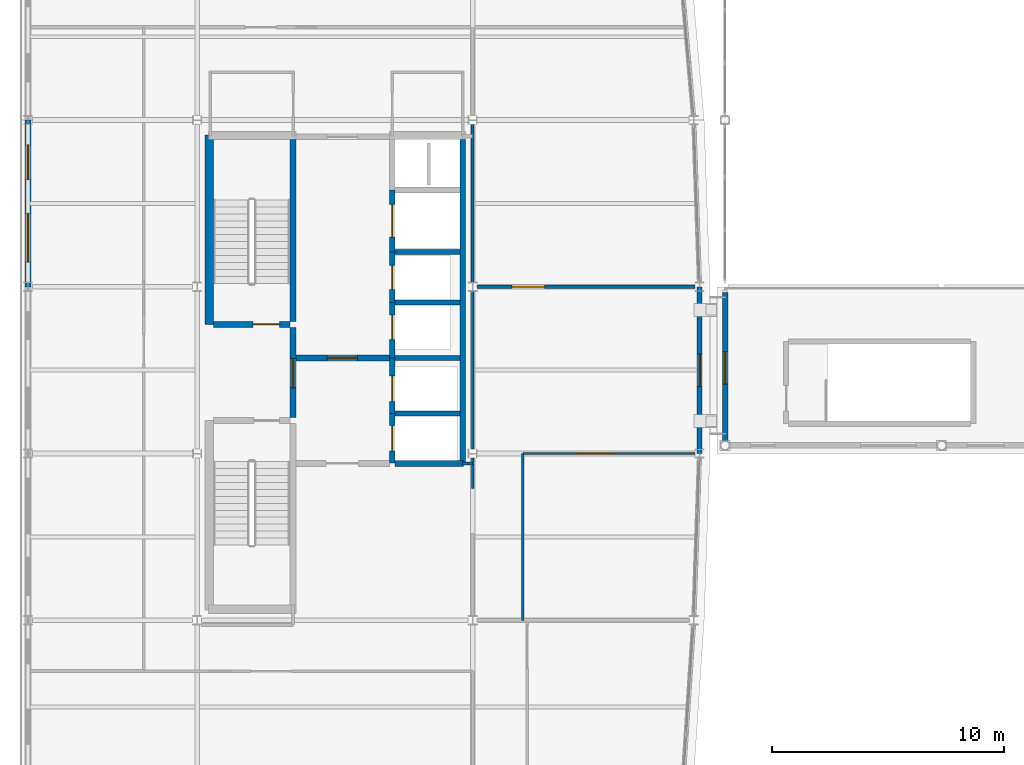
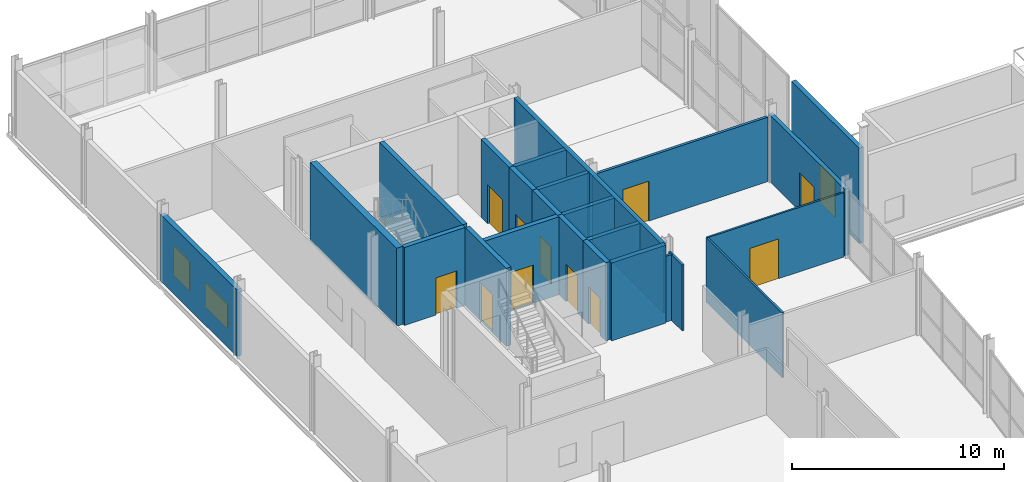
# One storey, part 65 of 77: 26 walls, 12 doors, 2 windows, 14 openings.
"""IFC4 building model written with IfcOpenShell, lengths in metres."""

import ifcopenshell
import ifcopenshell.guid

model = None  # the IFC model being written
_history = None  # IfcOwnerHistory: only IFC2X3 demands one
_inside = {}  # id of a spatial element -> (the spatial element, [elements in it])
_under = {}  # id of a project, library or spatial element -> (it, [spatial elements below it])
_declared = {}  # id of a project -> (the project, [libraries it declares])
_typed = {}  # id of a type object -> (the type object, [elements of that type])
_made_of = {}  # id of a material, layer set ... -> (it, [elements and type objects made of it])


def new_model(schema):
    """Start an empty IFC model of exactly this schema.

    Asked for "IFC4X3", IfcOpenShell would pick the latest addendum, in which some entities
    have other attributes; the version numbers below select the first issue.
    IFC2X3 requires an IfcOwnerHistory on every rooted entity: one is made here for all.
    """
    global model, _history
    if schema == "IFC4X3":
        model = ifcopenshell.file(schema_version=(4, 3, 0, 0))
    else:
        model = ifcopenshell.file(schema=schema)
    _inside.clear()
    _under.clear()
    _declared.clear()
    _typed.clear()
    _made_of.clear()
    _history = None
    if model.schema == "IFC2X3":
        org = make("IfcOrganization", Name="unknown")
        user = make(
            "IfcPersonAndOrganization",
            ThePerson=make("IfcPerson", FamilyName="unknown"),
            TheOrganization=org,
        )
        app = make(
            "IfcApplication",
            ApplicationDeveloper=org,
            Version="unknown",
            ApplicationFullName="unknown",
            ApplicationIdentifier="unknown",
        )
        _history = make(
            "IfcOwnerHistory",
            OwningUser=user,
            OwningApplication=app,
            ChangeAction="ADDED",
            CreationDate=0,
        )
    return model


def make(cls, **values):
    """One entity of the class cls with the attributes given. An attribute that is None is left unset."""
    return model.create_entity(
        cls, **{name: value for name, value in values.items() if value is not None}
    )


def rooted(cls, **values):
    """An entity with a GlobalId (a new one), such as an element, a storey or a relation."""
    return make(cls, GlobalId=ifcopenshell.guid.new(), OwnerHistory=_history, **values)


def si_unit(unit_type, name, prefix=None):
    """IfcSIUnit, for example si_unit("LENGTHUNIT", "METRE", prefix="MILLI")."""
    return make("IfcSIUnit", UnitType=unit_type, Prefix=prefix, Name=name)


def assignment(units):
    """IfcUnitAssignment: the units of a project."""
    return None if units is None else make("IfcUnitAssignment", Units=units)


def point(xyz):
    """IfcCartesianPoint."""
    return None if xyz is None else make("IfcCartesianPoint", Coordinates=xyz)


def direction(xyz):
    """IfcDirection."""
    return None if xyz is None else make("IfcDirection", DirectionRatios=xyz)


def frame(location, z_axis=None, x_axis=None):
    """IfcAxis2Placement3D, a coordinate frame: its origin and axes. An axis left out is left unset."""
    return make(
        "IfcAxis2Placement3D",
        Location=point(location),
        Axis=direction(z_axis),
        RefDirection=direction(x_axis),
    )


def frame_2d(location, x_axis=None):
    """IfcAxis2Placement2D, a coordinate frame in the plane: its origin and x axis."""
    return make(
        "IfcAxis2Placement2D", Location=point(location), RefDirection=direction(x_axis)
    )


def origin():
    """The frame at (0, 0, 0) with its axes left unset."""
    return frame((0.0, 0.0, 0.0))


def place(relative_to, where):
    """IfcLocalPlacement: puts the frame where relative to a parent placement (None: the world)."""
    return make(
        "IfcLocalPlacement", PlacementRelTo=relative_to, RelativePlacement=where
    )


def context(
    kind, dimensions, precision=None, world=None, true_north=None, identifier=None
):
    """IfcGeometricRepresentationContext, for example the 3D "Model" context."""
    return make(
        "IfcGeometricRepresentationContext",
        ContextIdentifier=identifier,
        ContextType=kind,
        CoordinateSpaceDimension=dimensions,
        Precision=precision,
        WorldCoordinateSystem=world,
        TrueNorth=true_north,
    )


def subcontext(parent, identifier, kind, view, scale=None):
    """IfcGeometricRepresentationSubContext, for example "Body" below "Model"."""
    return make(
        "IfcGeometricRepresentationSubContext",
        ContextIdentifier=identifier,
        ContextType=kind,
        ParentContext=parent,
        TargetScale=scale,
        TargetView=view,
    )


def project(units=None, contexts=None):
    """IfcProject with its units and contexts."""
    return rooted(
        "IfcProject",
        Name="project",
        RepresentationContexts=contexts,
        UnitsInContext=assignment(units),
    )


def spatial(cls, under=None, at=None, **own):
    """A site, building, storey or space (cls), placed at a placement, below another one or the project."""
    s = rooted(cls, ObjectPlacement=at, **own)
    if under is not None:
        _under.setdefault(under.id(), (under, []))[1].append(s)
    return s


def profile(cls, at=None, kind="AREA", **sizes):
    """A parametric profile (cls). Its sizes go by their IFC names, for example OverallWidth=200.0."""
    return make(cls, ProfileType=kind, Position=at, **sizes)


def rectangle(**sizes):
    """IfcRectangleProfileDef."""
    return profile("IfcRectangleProfileDef", **sizes)


def extrude(swept, where, along, depth):
    """IfcExtrudedAreaSolid: the profile swept, set in the frame where, extruded along a direction by depth."""
    return make(
        "IfcExtrudedAreaSolid",
        SweptArea=swept,
        Position=where,
        ExtrudedDirection=direction(along),
        Depth=depth,
    )


def shape(context_of_items, identifier, shape_type, items):
    """IfcShapeRepresentation: the items that make up one representation, for example the "Body"."""
    return make(
        "IfcShapeRepresentation",
        ContextOfItems=context_of_items,
        RepresentationIdentifier=identifier,
        RepresentationType=shape_type,
        Items=items,
    )


def material(Name=None, Category=None):
    """IfcMaterial."""
    return make("IfcMaterial", Name=Name, Category=Category)


def layer(
    of_material, thickness, ventilated=None, Name=None, Category=None, Priority=None
):
    """IfcMaterialLayer: one layer of a wall or slab, of a material (None: an air gap)."""
    return make(
        "IfcMaterialLayer",
        Material=of_material,
        LayerThickness=thickness,
        IsVentilated=ventilated,
        Name=Name,
        Category=Category,
        Priority=Priority,
    )


def layer_set(layers, Name=None):
    """IfcMaterialLayerSet."""
    return make("IfcMaterialLayerSet", MaterialLayers=layers, LayerSetName=Name)


def made_of(thing, what):
    """Note that an element or type object is made of a material, layer set ...; save() writes the relation."""
    if what is not None:
        _made_of.setdefault(what.id(), (what, []))[1].append(thing)
    return thing


def type_object(cls, material=None, **own):
    """A type object (cls), such as IfcWallType, which elements share."""
    return made_of(rooted(cls, **own), material)


def element(
    cls,
    number,
    at=None,
    inside=None,
    cuts=None,
    type_object=None,
    material=None,
    context=None,
    identifier="Body",
    shape_type=None,
    held_by="IfcProductDefinitionShape",
    body=None,
    shapes=None,
    **own,
):
    """One element of the class cls, such as IfcWall. Its Tag is "e" and its number.

    at: its placement. inside: the storey or other place that contains it. cuts: it is an
    opening in that element (IfcRelVoidsElement). A single representation is given by context,
    identifier, shape_type and body (its items); several are given by shapes. held_by: the class
    of the entity that holds the representations. save() writes the other relations.
    """
    e = rooted(cls, Tag="e%d" % number, ObjectPlacement=at, **own)
    if body is not None:
        shapes = [shape(context, identifier, shape_type, body)]
    if shapes is not None:
        e.Representation = make(held_by, Representations=shapes)
    if inside is not None:
        _inside.setdefault(inside.id(), (inside, []))[1].append(e)
    if cuts is not None:
        rooted(
            "IfcRelVoidsElement", RelatingBuildingElement=cuts, RelatedOpeningElement=e
        )
    if type_object is not None:
        _typed.setdefault(type_object.id(), (type_object, []))[1].append(e)
    return made_of(e, material)


def fill(opening, filler):
    """IfcRelFillsElement: the door or window that sits in an opening."""
    return rooted(
        "IfcRelFillsElement",
        RelatingOpeningElement=opening,
        RelatedBuildingElement=filler,
    )


def aggregate(whole, parts):
    """IfcRelAggregates: a whole, such as a stair, and the parts it consists of."""
    return rooted("IfcRelAggregates", RelatingObject=whole, RelatedObjects=parts)


def save(model, path):
    """Write the relations noted so far, then the file.

    IfcRelAggregates (storeys below a building ...), IfcRelContainedInSpatialStructure (elements
    in a storey), IfcRelDefinesByType, IfcRelAssociatesMaterial and IfcRelDeclares: one each for
    every whole, place, type object, material and project.
    """
    for whole, parts in _under.values():
        aggregate(whole, parts)
    for where, things in _inside.values():
        rooted(
            "IfcRelContainedInSpatialStructure",
            RelatedElements=things,
            RelatingStructure=where,
        )
    for kind, things in _typed.values():
        rooted("IfcRelDefinesByType", RelatedObjects=things, RelatingType=kind)
    for what, things in _made_of.values():
        rooted("IfcRelAssociatesMaterial", RelatedObjects=things, RelatingMaterial=what)
    for by, libraries in _declared.values():
        rooted("IfcRelDeclares", RelatingContext=by, RelatedDefinitions=libraries)
    model.write(path)


model = new_model("IFC4")

# Units and contexts
model_context = context("Model", 3, precision=1e-05, world=origin(), true_north=direction((0.0, 1.0)))
body_context = subcontext(model_context, "Body", "Model", "MODEL_VIEW")
ifc_project = project(units=[si_unit("LENGTHUNIT", "METRE"), si_unit("AREAUNIT", "SQUARE_METRE"), si_unit("VOLUMEUNIT", "CUBIC_METRE"), si_unit("PLANEANGLEUNIT", "RADIAN"), si_unit("MASSUNIT", "GRAM", prefix="KILO")], contexts=[model_context])

# Site, building, storey
site_placement = place(None, origin())
site = spatial("IfcSite", under=ifc_project, at=site_placement, CompositionType="ELEMENT")
building_placement = place(site_placement, origin())
building = spatial("IfcBuilding", under=site, at=building_placement, Name="Quillay Park Conservatory", CompositionType="ELEMENT")
storey_placement = place(building_placement, frame((0.0, 0.0, 5.39990234375)))
storey = spatial("IfcBuildingStorey", under=building, at=storey_placement, Name="L01", CompositionType="ELEMENT", Elevation=5.39990234375)

# Wall, opening, door
ifc_material_1 = material(Name="Steel-Stud Acoustic Gypsum Board Partition", Category="steel")
ifc_layer_1 = layer(ifc_material_1, 0.10009765625)
ifc_layer_set_1 = layer_set([ifc_layer_1], Name="ACOUSTIC GYPSUM PARTITION 100 (Steel-Stud Acoustic Gypsum Board Partition)")
wall_type_1 = type_object("IfcWallType", Name="ACOUSTIC GYPSUM PARTITION 100", PredefinedType="PARTITIONING", material=ifc_layer_set_1)
wall_1_placement = place(storey_placement, frame((21.919921875, 85.199951171875, 0.0), z_axis=(0.0, 0.0, 1.0), x_axis=(1.0, 0.0, 0.0)))
wall_1 = element("IfcWall", 1, at=wall_1_placement, inside=storey, type_object=wall_type_1, Name="L01 Bridge Corr South Wall", PredefinedType="PARTITIONING", context=body_context, shape_type="SweptSolid", body=[
    extrude(rectangle(XDim=7.435546875, YDim=0.10009765625, at=frame_2d((3.7177734375, 0.0))), origin(), (0.0, 0.0, 1.0), 3.72119140625),
])
opening_1_placement = place(wall_1_placement, frame((2.324951171875, 0.0, 0.0)))
opening_1 = element("IfcOpeningElement", 2, at=opening_1_placement, cuts=wall_1, Name="Opening D-RM26", PredefinedType="OPENING", context=body_context, shape_type="SweptSolid", body=[
    extrude(rectangle(XDim=1.550048828125, YDim=2.300048828125, at=frame_2d((0.77490234375, 1.14990234375))), frame((0.0, 0.050048828125, 0.0), z_axis=(0.0, -1.0, 0.0), x_axis=(1.0, 0.0, 0.0)), (0.0, 0.0, 1.0), 0.10009765625),
])
ifc_material_2 = material(Name="Thermally Broken Anodised Aluminium 6063-T6", Category="aluminium")
door_type_1 = type_object("IfcDoorType", Name="SINGLE SWING DOOR 1550 X2300", OperationType="NOTDEFINED", PredefinedType="DOOR", material=ifc_material_2)
door_1_placement = place(opening_1_placement, origin())
door_1 = element("IfcDoor", 3, at=door_1_placement, inside=storey, type_object=door_type_1, Name="L01 Door to L01 Phytotron Instrument Annex", OperationType="SINGLE_SWING_RIGHT", OverallHeight=2.300048828125, OverallWidth=1.550048828125, PredefinedType="DOOR", context=body_context, shape_type="SweptSolid", body=[
    extrude(rectangle(XDim=1.550048828125, YDim=2.300048828125, at=frame_2d((0.77490234375, 1.14990234375))), frame((0.0, 0.02490234375, 0.0), z_axis=(0.0, -1.0, 0.0), x_axis=(1.0, 0.0, 0.0)), (0.0, 0.0, 1.0), 0.050048828125),
])
fill(opening_1, door_1)

# Walls
ifc_material_3 = material(Name="Steel-Stud Acoustic Gypsum Board Partition", Category="steel")
ifc_layer_2 = layer(ifc_material_3, 0.10498046875)
ifc_layer_set_2 = layer_set([ifc_layer_2], Name="ACOUSTIC GYPSUM PARTITION 105 (Steel-Stud Acoustic Gypsum Board Partition)")
wall_type_2 = type_object("IfcWallType", Name="ACOUSTIC GYPSUM PARTITION 105", PredefinedType="PARTITIONING", material=ifc_layer_set_2)
wall_2_placement = place(storey_placement, frame((21.919921875, 78.0, 0.0), z_axis=(0.0, 0.0, 1.0), x_axis=(0.0, 1.0, 0.0)))
element("IfcWall", 4, at=wall_2_placement, inside=storey, type_object=wall_type_2, Name="L01 Bridge Corr East Wall", PredefinedType="PARTITIONING", context=body_context, shape_type="SweptSolid", body=[
    extrude(rectangle(XDim=7.199951171875, YDim=0.10498046875, at=frame_2d((3.60009765625, 0.0))), origin(), (0.0, 0.0, 1.0), 3.72119140625),
])
ifc_material_4 = material(Name="Steel-Stud Acoustic Gypsum Board Partition", Category="steel")
ifc_layer_3 = layer(ifc_material_4, 0.110107421875)
ifc_layer_set_3 = layer_set([ifc_layer_3], Name="ACOUSTIC GYPSUM PARTITION 110 (Steel-Stud Acoustic Gypsum Board Partition)")
wall_type_3 = type_object("IfcWallType", Name="ACOUSTIC GYPSUM PARTITION 110", PredefinedType="PARTITIONING", material=ifc_layer_set_3)
wall_3_placement = place(storey_placement, frame((19.75, 85.39453125, 0.0), z_axis=(0.0, 0.0, 1.0), x_axis=(0.0, 1.0, 0.0)))
element("IfcWall", 5, at=wall_3_placement, inside=storey, type_object=wall_type_3, Name="L01 Core East Wall M2", PredefinedType="PARTITIONING", context=body_context, shape_type="SweptSolid", body=[
    extrude(rectangle(XDim=6.81396484375, YDim=0.110107421875, at=frame_2d((3.406982421875, 0.0))), origin(), (0.0, 0.0, 1.0), 3.797119140625),
])
ifc_material_5 = material(Name="Steel-Stud Acoustic Gypsum Board Partition", Category="steel")
ifc_layer_4 = layer(ifc_material_5, 0.114990234375)
ifc_layer_set_4 = layer_set([ifc_layer_4], Name="ACOUSTIC GYPSUM PARTITION 115 (Steel-Stud Acoustic Gypsum Board Partition)")
wall_type_4 = type_object("IfcWallType", Name="ACOUSTIC GYPSUM PARTITION 115", PredefinedType="PARTITIONING", material=ifc_layer_set_4)
wall_4_placement = place(storey_placement, frame((19.75, 83.699951171875, 0.0), z_axis=(0.0, 0.0, 1.0), x_axis=(0.0, 1.0, 0.0)))
element("IfcWall", 6, at=wall_4_placement, inside=storey, type_object=wall_type_4, Name="L01 Core East Wall M1", PredefinedType="PARTITIONING", context=body_context, shape_type="SweptSolid", body=[
    extrude(rectangle(XDim=1.3056640625, YDim=0.114990234375, at=frame_2d((0.65283203125, 0.0))), origin(), (0.0, 0.0, 1.0), 3.797119140625),
])
ifc_material_6 = material(Name="Steel-Stud Acoustic Gypsum Board Partition", Category="steel")
ifc_layer_5 = layer(ifc_material_6, 0.1298828125)
ifc_layer_set_5 = layer_set([ifc_layer_5], Name="ACOUSTIC GYPSUM PARTITION 130 (Steel-Stud Acoustic Gypsum Board Partition)")
wall_type_5 = type_object("IfcWallType", Name="ACOUSTIC GYPSUM PARTITION 130", PredefinedType="PARTITIONING", material=ifc_layer_set_5)
wall_5_placement = place(storey_placement, frame((19.75, 99.405517578125, 0.0), z_axis=(0.0, 0.0, 1.0), x_axis=(0.0, -1.0, 0.0)))
element("IfcWall", 7, at=wall_5_placement, inside=storey, type_object=wall_type_5, Name="L01 Mycorrhizal Culture Research Laboratory West Wall S", PredefinedType="PARTITIONING", context=body_context, shape_type="SweptSolid", body=[
    extrude(rectangle(XDim=6.81396484375, YDim=0.1298828125, at=frame_2d((3.406982421875, 0.0))), origin(), (0.0, 0.0, 1.0), 3.797119140625),
])
ifc_material_7 = material(Name="Steel-Stud Acoustic Gypsum Board Partition", Category="steel")
ifc_layer_6 = layer(ifc_material_7, 0.139892578125)
ifc_layer_set_6 = layer_set([ifc_layer_6], Name="ACOUSTIC GYPSUM PARTITION 140 (Steel-Stud Acoustic Gypsum Board Partition)")
wall_type_6 = type_object("IfcWallType", Name="ACOUSTIC GYPSUM PARTITION 140", PredefinedType="PARTITIONING", material=ifc_layer_set_6)
wall_6_placement = place(storey_placement, frame((19.320068359375, 84.77490234375, 0.0), z_axis=(0.0, 0.0, 1.0), x_axis=(1.0, 0.0, 0.0)))
element("IfcWall", 8, at=wall_6_placement, inside=storey, type_object=wall_type_6, Name="L01 Core South-East Closure", PredefinedType="PARTITIONING", context=body_context, shape_type="SweptSolid", body=[
    extrude(rectangle(XDim=0.429931640625, YDim=0.139892578125, at=frame_2d((0.21484375, 0.0))), origin(), (0.0, 0.0, 1.0), 3.797119140625),
])

# Wall, opening, door
wall_7_placement = place(storey_placement, frame((19.944580078125, 92.39990234375, 0.0), z_axis=(0.0, 0.0, 1.0), x_axis=(1.0, 0.0, 0.0)))
wall_7 = element("IfcWall", 9, at=wall_7_placement, inside=storey, type_object=wall_type_6, Name="L01 Mycorrhizal Culture Research Laboratory South Wall", PredefinedType="PARTITIONING", context=body_context, shape_type="SweptSolid", body=[
    extrude(rectangle(XDim=9.410888671875, YDim=0.139892578125, at=frame_2d((4.70556640625, 0.0))), origin(), (0.0, 0.0, 1.0), 3.72119140625),
])
opening_2_placement = place(wall_7_placement, frame((1.49560546875, 0.0, 0.0)))
opening_2 = element("IfcOpeningElement", 10, at=opening_2_placement, cuts=wall_7, Name="Opening D-RM25", PredefinedType="OPENING", context=body_context, shape_type="SweptSolid", body=[
    extrude(rectangle(XDim=1.419921875, YDim=2.300048828125, at=frame_2d((0.7099609375, 1.14990234375))), frame((0.0, 0.06982421875, 0.0), z_axis=(0.0, -1.0, 0.0), x_axis=(1.0, 0.0, 0.0)), (0.0, 0.0, 1.0), 0.139892578125),
])
ifc_material_8 = material(Name="Thermally Broken Anodised Aluminium 6063-T6", Category="aluminium")
door_type_2 = type_object("IfcDoorType", Name="SINGLE SWING DOOR 1420 X2300", OperationType="NOTDEFINED", PredefinedType="DOOR", material=ifc_material_8)
door_2_placement = place(opening_2_placement, origin())
door_2 = element("IfcDoor", 11, at=door_2_placement, inside=storey, type_object=door_type_2, Name="L01 Door to Mycorrhizal Culture Research Laboratory", OperationType="SINGLE_SWING_LEFT", OverallHeight=2.300048828125, OverallWidth=1.419921875, PredefinedType="DOOR", context=body_context, shape_type="SweptSolid", body=[
    extrude(rectangle(XDim=1.419921875, YDim=2.300048828125, at=frame_2d((0.7099609375, 1.14990234375))), frame((0.0, 0.02490234375, 0.0), z_axis=(0.0, -1.0, 0.0), x_axis=(1.0, 0.0, 0.0)), (0.0, 0.0, 1.0), 0.050048828125),
])
fill(opening_2, door_2)

# Walls
ifc_material_9 = material(Name="Concrete C35/45 (NCh170 Concrete C35/45)", Category="concrete")
ifc_layer_7 = layer(ifc_material_9, 0.22509765625)
ifc_layer_set_7 = layer_set([ifc_layer_7], Name="CORE SHEAR WALL 225 (Concrete C35/45 (NCh170 Concrete C35/45))")
wall_type_7 = type_object("IfcWallType", Name="CORE SHEAR WALL 225", PredefinedType="SHEAR", material=ifc_layer_set_7)
wall_8_placement = place(storey_placement, frame((19.320068359375, 84.800048828125, 0.0), z_axis=(0.0, 0.0, 1.0), x_axis=(0.0, 1.0, 0.0)))
element("IfcWall", 12, at=wall_8_placement, inside=storey, type_object=wall_type_7, Name="L01 Core Shear Wall WL-LFBACK-L01", PredefinedType="SHEAR", context=body_context, shape_type="SweptSolid", body=[
    extrude(rectangle(XDim=13.949951171875, YDim=0.22509765625, at=frame_2d((6.97509765625, 0.0))), origin(), (0.0, 0.0, 1.0), 4.5),
])
for number, where, z_axis, x_axis, name in (
    (13, (16.39990234375, 86.925048828125, 0.0), (0.0, 0.0, 1.0), (1.0, 0.0, 0.0), "L01 Core Shear Wall WL-LFDIV-L01-869"),
    (14, (16.39990234375, 89.324951171875, 0.0), (0.0, 0.0, 1.0), (1.0, 0.0, 0.0), "L01 Core Shear Wall WL-LFDIV-L01-893"),
    (15, (16.39990234375, 91.72509765625, 0.0), (0.0, 0.0, 1.0), (1.0, 0.0, 0.0), "L01 Core Shear Wall WL-LFDIV-L01-917"),
    (16, (16.39990234375, 93.89990234375, 0.0), (0.0, 0.0, 1.0), (1.0, 0.0, 0.0), "L01 Core Shear Wall WL-LFDIV-L01-939"),
):
    element("IfcWall", number, at=place(storey_placement, frame(where, z_axis=z_axis, x_axis=x_axis)), inside=storey, type_object=wall_type_7, Name=name, PredefinedType="SHEAR", context=body_context, shape_type="SweptSolid", body=[
        extrude(rectangle(XDim=2.800048828125, YDim=0.22509765625, at=frame_2d((1.39990234375, 0.0))), origin(), (0.0, 0.0, 1.0), 4.5),
    ])
ifc_material_10 = material(Name="Concrete C40/50 (NCh170 Concrete C40/50)", Category="concrete")
ifc_layer_8 = layer(ifc_material_10, 0.25)
ifc_layer_set_8 = layer_set([ifc_layer_8], Name="CORE SHEAR WALL 250 (Concrete C40/50 (NCh170 Concrete C40/50))")
wall_type_8 = type_object("IfcWallType", Name="CORE SHEAR WALL 250", PredefinedType="SHEAR", material=ifc_layer_set_8)
wall_9_placement = place(storey_placement, frame((11.9951171875, 90.89990234375, 0.0), z_axis=(0.0, 0.0, 1.0), x_axis=(0.0, 1.0, 0.0)))
element("IfcWall", 17, at=wall_9_placement, inside=storey, type_object=wall_type_8, Name="L01 Core Shear Wall WL-T1E-L01", PredefinedType="SHEAR", context=body_context, shape_type="SweptSolid", body=[
    extrude(rectangle(XDim=7.85009765625, YDim=0.25, at=frame_2d((3.925048828125, 0.0))), origin(), (0.0, 0.0, 1.0), 4.5),
])

# Wall, opening, door
wall_10_placement = place(storey_placement, frame((11.9951171875, 86.75, 0.0), z_axis=(0.0, 0.0, 1.0), x_axis=(0.0, 1.0, 0.0)))
wall_10 = element("IfcWall", 18, at=wall_10_placement, inside=storey, type_object=wall_type_8, Name="L01 Core Shear Wall WL-FFW-L01", PredefinedType="SHEAR", context=body_context, shape_type="SweptSolid", body=[
    extrude(rectangle(XDim=3.89990234375, YDim=0.25, at=frame_2d((1.949951171875, 0.0))), origin(), (0.0, 0.0, 1.0), 4.5),
])
opening_3_placement = place(wall_10_placement, frame((1.300048828125, 0.0, 0.0)))
opening_3 = element("IfcOpeningElement", 19, at=opening_3_placement, cuts=wall_10, Name="Opening D-LB01", PredefinedType="OPENING", context=body_context, shape_type="SweptSolid", body=[
    extrude(rectangle(XDim=1.25, YDim=2.199951171875, at=frame_2d((0.625, 1.10009765625))), frame((0.0, 0.125, 0.0), z_axis=(0.0, -1.0, 0.0), x_axis=(1.0, 0.0, 0.0)), (0.0, 0.0, 1.0), 0.25),
])
ifc_material_11 = material(Name="Steel ASTM A572 Grade 50", Category="steel")
door_type_3 = type_object("IfcDoorType", Name="FIRE RATED LOBBY DOOR 1250 X2200", OperationType="NOTDEFINED", PredefinedType="DOOR", material=ifc_material_11)
door_3_placement = place(opening_3_placement, origin())
door_3 = element("IfcDoor", 20, at=door_3_placement, inside=storey, type_object=door_type_3, Name="L01 Firefighting Lobby Corridor Door", OperationType="SINGLE_SWING_LEFT", OverallHeight=2.199951171875, OverallWidth=1.25, PredefinedType="DOOR", context=body_context, shape_type="SweptSolid", body=[
    extrude(rectangle(XDim=1.25, YDim=2.199951171875, at=frame_2d((0.625, 1.10009765625))), frame((0.0, 0.02490234375, 0.0), z_axis=(0.0, -1.0, 0.0), x_axis=(1.0, 0.0, 0.0)), (0.0, 0.0, 1.0), 0.050048828125),
])
fill(opening_3, door_3)

wall_11_placement = place(storey_placement, frame((11.8701171875, 90.77490234375, 0.0), z_axis=(0.0, 0.0, 1.0), x_axis=(-1.0, 0.0, 0.0)))
wall_11 = element("IfcWall", 21, at=wall_11_placement, inside=storey, type_object=wall_type_8, Name="L01 Core Shear Wall WL-ST1D-L01", PredefinedType="SHEAR", context=body_context, shape_type="SweptSolid", body=[
    extrude(rectangle(XDim=3.320068359375, YDim=0.25, at=frame_2d((1.66015625, 0.0))), origin(), (0.0, 0.0, 1.0), 4.5),
])
opening_4_placement = place(wall_11_placement, frame((0.449951171875, 0.0, 0.0)))
opening_4 = element("IfcOpeningElement", 22, at=opening_4_placement, cuts=wall_11, Name="Opening D-ST02", PredefinedType="OPENING", context=body_context, shape_type="SweptSolid", body=[
    extrude(rectangle(XDim=1.14990234375, YDim=2.14990234375, at=frame_2d((0.574951171875, 1.074951171875))), frame((0.0, 0.125, 0.0), z_axis=(0.0, -1.0, 0.0), x_axis=(1.0, 0.0, 0.0)), (0.0, 0.0, 1.0), 0.25),
])
ifc_material_12 = material(Name="Steel ASTM A572 Grade 50", Category="steel")
door_type_4 = type_object("IfcDoorType", Name="FIRE RATED STAIR DOOR 1150 X2150", OperationType="NOTDEFINED", PredefinedType="DOOR", material=ifc_material_12)
door_4_placement = place(opening_4_placement, origin())
door_4 = element("IfcDoor", 23, at=door_4_placement, inside=storey, type_object=door_type_4, Name="L01 Protected Stair ST-T1 Door", OperationType="SINGLE_SWING_RIGHT", OverallHeight=2.14990234375, OverallWidth=1.14990234375, PredefinedType="DOOR", context=body_context, shape_type="SweptSolid", body=[
    extrude(rectangle(XDim=1.14990234375, YDim=2.14990234375, at=frame_2d((0.574951171875, 1.074951171875))), frame((0.0, 0.02490234375, 0.0), z_axis=(0.0, -1.0, 0.0), x_axis=(1.0, 0.0, 0.0)), (0.0, 0.0, 1.0), 0.050048828125),
])
fill(opening_4, door_4)

wall_12_placement = place(storey_placement, frame((12.1201171875, 89.324951171875, 0.0), z_axis=(0.0, 0.0, 1.0), x_axis=(1.0, 0.0, 0.0)))
wall_12 = element("IfcWall", 24, at=wall_12_placement, inside=storey, type_object=wall_type_8, Name="L01 Core Shear Wall WL-FFDIV-L01", PredefinedType="SHEAR", context=body_context, shape_type="SweptSolid", body=[
    extrude(rectangle(XDim=4.02978515625, YDim=0.25, at=frame_2d((2.014892578125, 0.0))), origin(), (0.0, 0.0, 1.0), 4.5),
])
opening_5_placement = place(wall_12_placement, frame((1.35009765625, 0.0, 0.0)))
opening_5 = element("IfcOpeningElement", 25, at=opening_5_placement, cuts=wall_12, Name="Opening D-LB02", PredefinedType="OPENING", context=body_context, shape_type="SweptSolid", body=[
    extrude(rectangle(XDim=1.300048828125, YDim=2.199951171875, at=frame_2d((0.64990234375, 1.10009765625))), frame((0.0, 0.125, 0.0), z_axis=(0.0, -1.0, 0.0), x_axis=(1.0, 0.0, 0.0)), (0.0, 0.0, 1.0), 0.25),
])
ifc_material_13 = material(Name="Steel ASTM A572 Grade 50", Category="steel")
door_type_5 = type_object("IfcDoorType", Name="FIRE RATED LOBBY DOOR 1300 X2200", OperationType="NOTDEFINED", PredefinedType="DOOR", material=ifc_material_13)
door_5_placement = place(opening_5_placement, origin())
door_5 = element("IfcDoor", 26, at=door_5_placement, inside=storey, type_object=door_type_5, Name="L01 Firefighting to Passenger Lobby Door", OperationType="SINGLE_SWING_LEFT", OverallHeight=2.199951171875, OverallWidth=1.300048828125, PredefinedType="DOOR", context=body_context, shape_type="SweptSolid", body=[
    extrude(rectangle(XDim=1.300048828125, YDim=2.199951171875, at=frame_2d((0.64990234375, 1.10009765625))), frame((0.0, 0.02490234375, 0.0), z_axis=(0.0, -1.0, 0.0), x_axis=(1.0, 0.0, 0.0)), (0.0, 0.0, 1.0), 0.050048828125),
])
fill(opening_5, door_5)

# Wall
wall_13_placement = place(storey_placement, frame((16.39990234375, 84.77490234375, 0.0), z_axis=(0.0, 0.0, 1.0), x_axis=(1.0, 0.0, 0.0)))
element("IfcWall", 27, at=wall_13_placement, inside=storey, type_object=wall_type_8, Name="L01 Core Shear Wall WL-LFSO-L01", PredefinedType="SHEAR", context=body_context, shape_type="SweptSolid", body=[
    extrude(rectangle(XDim=2.9501953125, YDim=0.25, at=frame_2d((1.47509765625, 0.0))), origin(), (0.0, 0.0, 1.0), 4.5),
])

# Wall, opening, door
wall_14_placement = place(storey_placement, frame((16.27490234375, 84.800048828125, 0.0), z_axis=(0.0, 0.0, 1.0), x_axis=(0.0, 1.0, 0.0)))
wall_14 = element("IfcWall", 28, at=wall_14_placement, inside=storey, type_object=wall_type_8, Name="L01 Core Shear Wall WL-LFFR-L01-LF-FF1", PredefinedType="SHEAR", context=body_context, shape_type="SweptSolid", body=[
    extrude(rectangle(XDim=2.125, YDim=0.25, at=frame_2d((1.0625, 0.0))), origin(), (0.0, 0.0, 1.0), 4.5),
])
opening_6_placement = place(wall_14_placement, frame((0.5, 0.0, 0.0)))
opening_6 = element("IfcOpeningElement", 29, at=opening_6_placement, cuts=wall_14, Name="Opening LD01", PredefinedType="OPENING", context=body_context, shape_type="SweptSolid", body=[
    extrude(rectangle(XDim=1.10009765625, YDim=2.14990234375, at=frame_2d((0.550048828125, 1.074951171875))), frame((0.0, 0.125, 0.0), z_axis=(0.0, -1.0, 0.0), x_axis=(1.0, 0.0, 0.0)), (0.0, 0.0, 1.0), 0.25),
])
ifc_material_14 = material(Name="Steel ASTM A572 Grade 50", Category="steel")
door_type_6 = type_object("IfcDoorType", Name="LIFT LANDING SLIDING DOOR 1100 X2150", OperationType="NOTDEFINED", PredefinedType="DOOR", material=ifc_material_14)
door_6_placement = place(opening_6_placement, origin())
door_6 = element("IfcDoor", 30, at=door_6_placement, inside=storey, type_object=door_type_6, Name="L01 LF-FF1 Lift Landing Door LD01", OperationType="SLIDING_TO_LEFT", OverallHeight=2.14990234375, OverallWidth=1.10009765625, PredefinedType="DOOR", context=body_context, shape_type="SweptSolid", body=[
    extrude(rectangle(XDim=1.10009765625, YDim=2.14990234375, at=frame_2d((0.550048828125, 1.074951171875))), frame((0.0, 0.02490234375, 0.0), z_axis=(0.0, -1.0, 0.0), x_axis=(1.0, 0.0, 0.0)), (0.0, 0.0, 1.0), 0.050048828125),
])
fill(opening_6, door_6)

wall_15_placement = place(storey_placement, frame((16.27490234375, 86.925048828125, 0.0), z_axis=(0.0, 0.0, 1.0), x_axis=(0.0, 1.0, 0.0)))
wall_15 = element("IfcWall", 31, at=wall_15_placement, inside=storey, type_object=wall_type_8, Name="L01 Core Shear Wall WL-LFFR-L01-LF-FF2", PredefinedType="SHEAR", context=body_context, shape_type="SweptSolid", body=[
    extrude(rectangle(XDim=2.39990234375, YDim=0.25, at=frame_2d((1.199951171875, 0.0))), origin(), (0.0, 0.0, 1.0), 4.5),
])
opening_7_placement = place(wall_15_placement, frame((0.52490234375, 0.0, 0.0)))
opening_7 = element("IfcOpeningElement", 32, at=opening_7_placement, cuts=wall_15, Name="Opening LD01", PredefinedType="OPENING", context=body_context, shape_type="SweptSolid", body=[
    extrude(rectangle(XDim=1.10009765625, YDim=2.14990234375, at=frame_2d((0.550048828125, 1.074951171875))), frame((0.0, 0.125, 0.0), z_axis=(0.0, -1.0, 0.0), x_axis=(1.0, 0.0, 0.0)), (0.0, 0.0, 1.0), 0.25),
])
door_7_placement = place(opening_7_placement, origin())
door_7 = element("IfcDoor", 33, at=door_7_placement, inside=storey, type_object=door_type_6, Name="L01 LF-FF2 Lift Landing Door LD01", OperationType="SLIDING_TO_LEFT", OverallHeight=2.14990234375, OverallWidth=1.10009765625, PredefinedType="DOOR", context=body_context, shape_type="SweptSolid", body=[
    extrude(rectangle(XDim=1.10009765625, YDim=2.14990234375, at=frame_2d((0.550048828125, 1.074951171875))), frame((0.0, 0.02490234375, 0.0), z_axis=(0.0, -1.0, 0.0), x_axis=(1.0, 0.0, 0.0)), (0.0, 0.0, 1.0), 0.050048828125),
])
fill(opening_7, door_7)

wall_16_placement = place(storey_placement, frame((16.27490234375, 89.324951171875, 0.0), z_axis=(0.0, 0.0, 1.0), x_axis=(0.0, 1.0, 0.0)))
wall_16 = element("IfcWall", 34, at=wall_16_placement, inside=storey, type_object=wall_type_8, Name="L01 Core Shear Wall WL-LFFR-L01-LF-P1", PredefinedType="SHEAR", context=body_context, shape_type="SweptSolid", body=[
    extrude(rectangle(XDim=2.400146484375, YDim=0.25, at=frame_2d((1.2001953125, 0.0))), origin(), (0.0, 0.0, 1.0), 4.5),
])
opening_8_placement = place(wall_16_placement, frame((0.800048828125, 0.0, 0.0)))
opening_8 = element("IfcOpeningElement", 35, at=opening_8_placement, cuts=wall_16, Name="Opening LD02", PredefinedType="OPENING", context=body_context, shape_type="SweptSolid", body=[
    extrude(rectangle(XDim=1.050048828125, YDim=2.14990234375, at=frame_2d((0.52490234375, 1.074951171875))), frame((0.0, 0.125, 0.0), z_axis=(0.0, -1.0, 0.0), x_axis=(1.0, 0.0, 0.0)), (0.0, 0.0, 1.0), 0.25),
])
ifc_material_15 = material(Name="Steel ASTM A572 Grade 50", Category="steel")
door_type_7 = type_object("IfcDoorType", Name="LIFT LANDING SLIDING DOOR 1050 X2150", OperationType="NOTDEFINED", PredefinedType="DOOR", material=ifc_material_15)
door_8_placement = place(opening_8_placement, origin())
door_8 = element("IfcDoor", 36, at=door_8_placement, inside=storey, type_object=door_type_7, Name="L01 LF-P1 Lift Landing Door LD02", OperationType="SLIDING_TO_LEFT", OverallHeight=2.14990234375, OverallWidth=1.050048828125, PredefinedType="DOOR", context=body_context, shape_type="SweptSolid", body=[
    extrude(rectangle(XDim=1.050048828125, YDim=2.14990234375, at=frame_2d((0.52490234375, 1.074951171875))), frame((0.0, 0.02490234375, 0.0), z_axis=(0.0, -1.0, 0.0), x_axis=(1.0, 0.0, 0.0)), (0.0, 0.0, 1.0), 0.050048828125),
])
fill(opening_8, door_8)

wall_17_placement = place(storey_placement, frame((16.27490234375, 91.72509765625, 0.0), z_axis=(0.0, 0.0, 1.0), x_axis=(0.0, 1.0, 0.0)))
wall_17 = element("IfcWall", 37, at=wall_17_placement, inside=storey, type_object=wall_type_8, Name="L01 Core Shear Wall WL-LFFR-L01-LF-P2", PredefinedType="SHEAR", context=body_context, shape_type="SweptSolid", body=[
    extrude(rectangle(XDim=2.1748046875, YDim=0.25, at=frame_2d((1.08740234375, 0.0))), origin(), (0.0, 0.0, 1.0), 4.5),
])
opening_9_placement = place(wall_17_placement, frame((0.550048828125, 0.0, 0.0)))
opening_9 = element("IfcOpeningElement", 38, at=opening_9_placement, cuts=wall_17, Name="Opening LD02", PredefinedType="OPENING", context=body_context, shape_type="SweptSolid", body=[
    extrude(rectangle(XDim=1.050048828125, YDim=2.14990234375, at=frame_2d((0.52490234375, 1.074951171875))), frame((0.0, 0.125, 0.0), z_axis=(0.0, -1.0, 0.0), x_axis=(1.0, 0.0, 0.0)), (0.0, 0.0, 1.0), 0.25),
])
door_9_placement = place(opening_9_placement, origin())
door_9 = element("IfcDoor", 39, at=door_9_placement, inside=storey, type_object=door_type_7, Name="L01 LF-P2 Lift Landing Door LD02", OperationType="SLIDING_TO_LEFT", OverallHeight=2.14990234375, OverallWidth=1.050048828125, PredefinedType="DOOR", context=body_context, shape_type="SweptSolid", body=[
    extrude(rectangle(XDim=1.050048828125, YDim=2.14990234375, at=frame_2d((0.52490234375, 1.074951171875))), frame((0.0, 0.02490234375, 0.0), z_axis=(0.0, -1.0, 0.0), x_axis=(1.0, 0.0, 0.0)), (0.0, 0.0, 1.0), 0.050048828125),
])
fill(opening_9, door_9)

wall_18_placement = place(storey_placement, frame((16.27490234375, 93.89990234375, 0.0), z_axis=(0.0, 0.0, 1.0), x_axis=(0.0, 1.0, 0.0)))
wall_18 = element("IfcWall", 40, at=wall_18_placement, inside=storey, type_object=wall_type_8, Name="L01 Core Shear Wall WL-LFFR-L01-LF-G1", PredefinedType="SHEAR", context=body_context, shape_type="SweptSolid", body=[
    extrude(rectangle(XDim=2.675048828125, YDim=0.25, at=frame_2d((1.33740234375, 0.0))), origin(), (0.0, 0.0, 1.0), 4.5),
])
opening_10_placement = place(wall_18_placement, frame((0.64990234375, 0.0, 0.0)))
opening_10 = element("IfcOpeningElement", 41, at=opening_10_placement, cuts=wall_18, Name="Opening LD03", PredefinedType="OPENING", context=body_context, shape_type="SweptSolid", body=[
    extrude(rectangle(XDim=1.39990234375, YDim=2.25, at=frame_2d((0.699951171875, 1.125))), frame((0.0, 0.125, 0.0), z_axis=(0.0, -1.0, 0.0), x_axis=(1.0, 0.0, 0.0)), (0.0, 0.0, 1.0), 0.25),
])
ifc_material_16 = material(Name="Steel ASTM A572 Grade 50", Category="steel")
door_type_8 = type_object("IfcDoorType", Name="LIFT LANDING SLIDING DOOR 1400 X2250", OperationType="NOTDEFINED", PredefinedType="DOOR", material=ifc_material_16)
door_10_placement = place(opening_10_placement, origin())
door_10 = element("IfcDoor", 42, at=door_10_placement, inside=storey, type_object=door_type_8, Name="L01 LF-G1 Lift Landing Door LD03", OperationType="SLIDING_TO_LEFT", OverallHeight=2.25, OverallWidth=1.39990234375, PredefinedType="DOOR", context=body_context, shape_type="SweptSolid", body=[
    extrude(rectangle(XDim=1.39990234375, YDim=2.25, at=frame_2d((0.699951171875, 1.125))), frame((0.0, 0.02490234375, 0.0), z_axis=(0.0, -1.0, 0.0), x_axis=(1.0, 0.0, 0.0)), (0.0, 0.0, 1.0), 0.050048828125),
])
fill(opening_10, door_10)

# Wall
ifc_material_17 = material(Name="Concrete C40/50 (NCh170 Concrete C40/50)", Category="concrete")
ifc_layer_9 = layer(ifc_material_17, 0.35009765625)
ifc_layer_set_9 = layer_set([ifc_layer_9], Name="CORE SHEAR WALL 350 (Concrete C40/50 (NCh170 Concrete C40/50))")
wall_type_9 = type_object("IfcWallType", Name="CORE SHEAR WALL 350", PredefinedType="SHEAR", material=ifc_layer_set_9)
wall_19_placement = place(storey_placement, frame((8.375, 90.77490234375, 0.0), z_axis=(0.0, 0.0, 1.0), x_axis=(0.0, 1.0, 0.0)))
element("IfcWall", 43, at=wall_19_placement, inside=storey, type_object=wall_type_9, Name="L01 Core Shear Wall WL-TCW-N-L01", PredefinedType="SHEAR", context=body_context, shape_type="SweptSolid", body=[
    extrude(rectangle(XDim=8.175048828125, YDim=0.35009765625, at=frame_2d((4.08740234375, 0.0))), origin(), (0.0, 0.0, 1.0), 4.5),
])

# Wall, opening, door
ifc_material_18 = material(Name="Glass-Fibre Reinforced Concrete (GRC) Cladding", Category="concrete")
ifc_layer_10 = layer(ifc_material_18, 0.219970703125)
ifc_layer_set_10 = layer_set([ifc_layer_10], Name="EXTERIOR SOLID WALL 220 (Glass-Fibre Reinforced Concrete (GRC) Cladding)")
wall_type_10 = type_object("IfcWallType", Name="EXTERIOR SOLID WALL 220", PredefinedType="SOLIDWALL", material=ifc_layer_set_10)
wall_20_placement = place(storey_placement, frame((29.550048828125, 92.39990234375, 0.0), z_axis=(0.0, 0.0, 1.0), x_axis=(0.0, -1.0, 0.0)))
wall_20 = element("IfcWall", 44, at=wall_20_placement, inside=storey, type_object=wall_type_10, Name="L01 External Wall WL-LB2W-L01", PredefinedType="SOLIDWALL", context=body_context, shape_type="SweptSolid", body=[
    extrude(rectangle(XDim=7.199951171875, YDim=0.219970703125, at=frame_2d((3.60009765625, 0.0))), origin(), (0.0, 0.0, 1.0), 3.84716796875),
])
opening_11_placement = place(wall_20_placement, frame((2.89990234375, 0.0, 0.0)))
opening_11 = element("IfcOpeningElement", 45, at=opening_11_placement, cuts=wall_20, Name="Opening D-TR03", PredefinedType="OPENING", context=body_context, shape_type="SweptSolid", body=[
    extrude(rectangle(XDim=1.39990234375, YDim=2.199951171875, at=frame_2d((0.699951171875, 1.10009765625))), frame((0.0, 0.10986328125, 0.0), z_axis=(0.0, -1.0, 0.0), x_axis=(1.0, 0.0, 0.0)), (0.0, 0.0, 1.0), 0.219970703125),
])
ifc_material_19 = material(Name="Thermally Broken Anodised Aluminium 6063-T6", Category="aluminium")
door_type_9 = type_object("IfcDoorType", Name="TERRACE GLAZED DOOR 1400 X2200", OperationType="NOTDEFINED", PredefinedType="DOOR", material=ifc_material_19)
door_11_placement = place(opening_11_placement, origin())
door_11 = element("IfcDoor", 46, at=door_11_placement, inside=storey, type_object=door_type_9, Name="L01 Tower to Conservatory Bridge Door", OperationType="SINGLE_SWING_LEFT", OverallHeight=2.199951171875, OverallWidth=1.39990234375, PredefinedType="DOOR", context=body_context, shape_type="SweptSolid", body=[
    extrude(rectangle(XDim=1.39990234375, YDim=2.199951171875, at=frame_2d((0.699951171875, 1.10009765625))), frame((0.0, 0.02490234375, 0.0), z_axis=(0.0, -1.0, 0.0), x_axis=(1.0, 0.0, 0.0)), (0.0, 0.0, 1.0), 0.050048828125),
])
fill(opening_11, door_11)

ifc_material_20 = material(Name="Glass-Fibre Reinforced Concrete (GRC) Cladding", Category="concrete")
ifc_layer_11 = layer(ifc_material_20, 0.239990234375)
ifc_layer_set_11 = layer_set([ifc_layer_11], Name="EXTERIOR SOLID WALL 240 (Glass-Fibre Reinforced Concrete (GRC) Cladding)")
wall_type_11 = type_object("IfcWallType", Name="EXTERIOR SOLID WALL 240", PredefinedType="SOLIDWALL", material=ifc_layer_set_11)
wall_21_placement = place(storey_placement, frame((30.64990234375, 85.751220703125, 0.0), z_axis=(0.0, 0.0, 1.0), x_axis=(0.0, 1.0, 0.0)))
wall_21 = element("IfcWall", 47, at=wall_21_placement, inside=storey, type_object=wall_type_11, Name="L01 External Wall WL-EXT-V1W-WK", PredefinedType="SOLIDWALL", context=body_context, shape_type="SweptSolid", body=[
    extrude(rectangle(XDim=6.398681640625, YDim=0.239990234375, at=frame_2d((3.19921875, 0.0))), origin(), (0.0, 0.0, 1.0), 5.5),
])
opening_12_placement = place(wall_21_placement, frame((2.44873046875, 0.0, 0.0)))
opening_12 = element("IfcOpeningElement", 48, at=opening_12_placement, cuts=wall_21, Name="Opening D-TR03", PredefinedType="OPENING", context=body_context, shape_type="SweptSolid", body=[
    extrude(rectangle(XDim=1.39990234375, YDim=2.199951171875, at=frame_2d((0.699951171875, 1.10009765625))), frame((0.0, 0.1201171875, 0.0), z_axis=(0.0, -1.0, 0.0), x_axis=(1.0, 0.0, 0.0)), (0.0, 0.0, 1.0), 0.239990234375),
])
door_12_placement = place(opening_12_placement, origin())
door_12 = element("IfcDoor", 49, at=door_12_placement, inside=storey, type_object=door_type_9, Name="L01 Conservatory Canopy Walk West Bridge Door", OperationType="SINGLE_SWING_RIGHT", OverallHeight=2.199951171875, OverallWidth=1.39990234375, PredefinedType="DOOR", context=body_context, shape_type="SweptSolid", body=[
    extrude(rectangle(XDim=1.39990234375, YDim=2.199951171875, at=frame_2d((0.699951171875, 1.10009765625))), frame((0.0, 0.02490234375, 0.0), z_axis=(0.0, -1.0, 0.0), x_axis=(1.0, 0.0, 0.0)), (0.0, 0.0, 1.0), 0.050048828125),
])
fill(opening_12, door_12)

# Wall, openings, windows
ifc_material_21 = material(Name="Glass-Fibre Reinforced Concrete (GRC) Cladding", Category="concrete")
ifc_layer_12 = layer(ifc_material_21, 0.260009765625)
ifc_layer_set_12 = layer_set([ifc_layer_12], Name="EXTERIOR SOLID WALL 260 (Glass-Fibre Reinforced Concrete (GRC) Cladding)")
wall_type_12 = type_object("IfcWallType", Name="EXTERIOR SOLID WALL 260", PredefinedType="SOLIDWALL", material=ifc_layer_set_12)
wall_22_placement = place(storey_placement, frame((0.550048828125, 92.39990234375, 0.0), z_axis=(0.0, 0.0, 1.0), x_axis=(0.0, 1.0, 0.0)))
wall_22 = element("IfcWall", 50, at=wall_22_placement, inside=storey, type_object=wall_type_12, Name="L01 External Wall WL-EXT-V4W-L01-4", PredefinedType="SOLIDWALL", context=body_context, shape_type="SweptSolid", body=[
    extrude(rectangle(XDim=7.2001953125, YDim=0.260009765625, at=frame_2d((3.60009765625, 0.0))), origin(), (0.0, 0.0, 1.0), 3.84716796875),
])
opening_13_placement = place(wall_22_placement, frame((1.070068359375, 0.0, 0.919921875)))
opening_13 = element("IfcOpeningElement", 51, at=opening_13_placement, cuts=wall_22, Name="Opening W-06", PredefinedType="OPENING", context=body_context, shape_type="SweptSolid", body=[
    extrude(rectangle(XDim=2.10009765625, YDim=1.39990234375, at=frame_2d((1.050048828125, 0.699951171875))), frame((0.0, 0.1298828125, 0.0), z_axis=(0.0, -1.0, 0.0), x_axis=(1.0, 0.0, 0.0)), (0.0, 0.0, 1.0), 0.260009765625),
])
opening_14_placement = place(wall_22_placement, frame((4.6298828125, 0.0, 0.919921875)))
opening_14 = element("IfcOpeningElement", 52, at=opening_14_placement, cuts=wall_22, Name="Opening W-13", PredefinedType="OPENING", context=body_context, shape_type="SweptSolid", body=[
    extrude(rectangle(XDim=1.5, YDim=1.699951171875, at=frame_2d((0.75, 0.85009765625))), frame((0.0, 0.1298828125, 0.0), z_axis=(0.0, -1.0, 0.0), x_axis=(1.0, 0.0, 0.0)), (0.0, 0.0, 1.0), 0.260009765625),
])
ifc_material_22 = material(Name="Low-E Double Glazing (Laminated Tempered)", Category="glass")
window_type_1 = type_object("IfcWindowType", Name="FIXED CASEMENT WINDOW 1500 X1700", PartitioningType="SINGLE_PANEL", PredefinedType="WINDOW", material=ifc_material_22)
window_1_placement = place(opening_14_placement, origin())
window_1 = element("IfcWindow", 53, at=window_1_placement, inside=storey, type_object=window_type_1, Name="L01 Exterior Window 0095", OverallHeight=1.699951171875, OverallWidth=1.5, PartitioningType="SINGLE_PANEL", PredefinedType="WINDOW", context=body_context, shape_type="SweptSolid", body=[
    extrude(rectangle(XDim=1.5, YDim=1.699951171875, at=frame_2d((0.75, 0.85009765625))), frame((0.0, 0.030029296875, 0.0), z_axis=(0.0, -1.0, 0.0), x_axis=(1.0, 0.0, 0.0)), (0.0, 0.0, 1.0), 0.06005859375),
])
fill(opening_14, window_1)
ifc_material_23 = material(Name="Low-E Double Glazing (Laminated Tempered)", Category="glass")
window_type_2 = type_object("IfcWindowType", Name="FIXED CASEMENT WINDOW 2100 X1400", PartitioningType="DOUBLE_PANEL_VERTICAL", PredefinedType="WINDOW", material=ifc_material_23)
window_2_placement = place(opening_13_placement, origin())
window_2 = element("IfcWindow", 54, at=window_2_placement, inside=storey, type_object=window_type_2, Name="L01 Exterior Window 0094", OverallHeight=1.39990234375, OverallWidth=2.10009765625, PartitioningType="DOUBLE_PANEL_VERTICAL", PredefinedType="WINDOW", context=body_context, shape_type="SweptSolid", body=[
    extrude(rectangle(XDim=2.10009765625, YDim=1.39990234375, at=frame_2d((1.050048828125, 0.699951171875))), frame((0.0, 0.030029296875, 0.0), z_axis=(0.0, -1.0, 0.0), x_axis=(1.0, 0.0, 0.0)), (0.0, 0.0, 1.0), 0.06005859375),
])
fill(opening_13, window_2)

save(model, "model.ifc")
